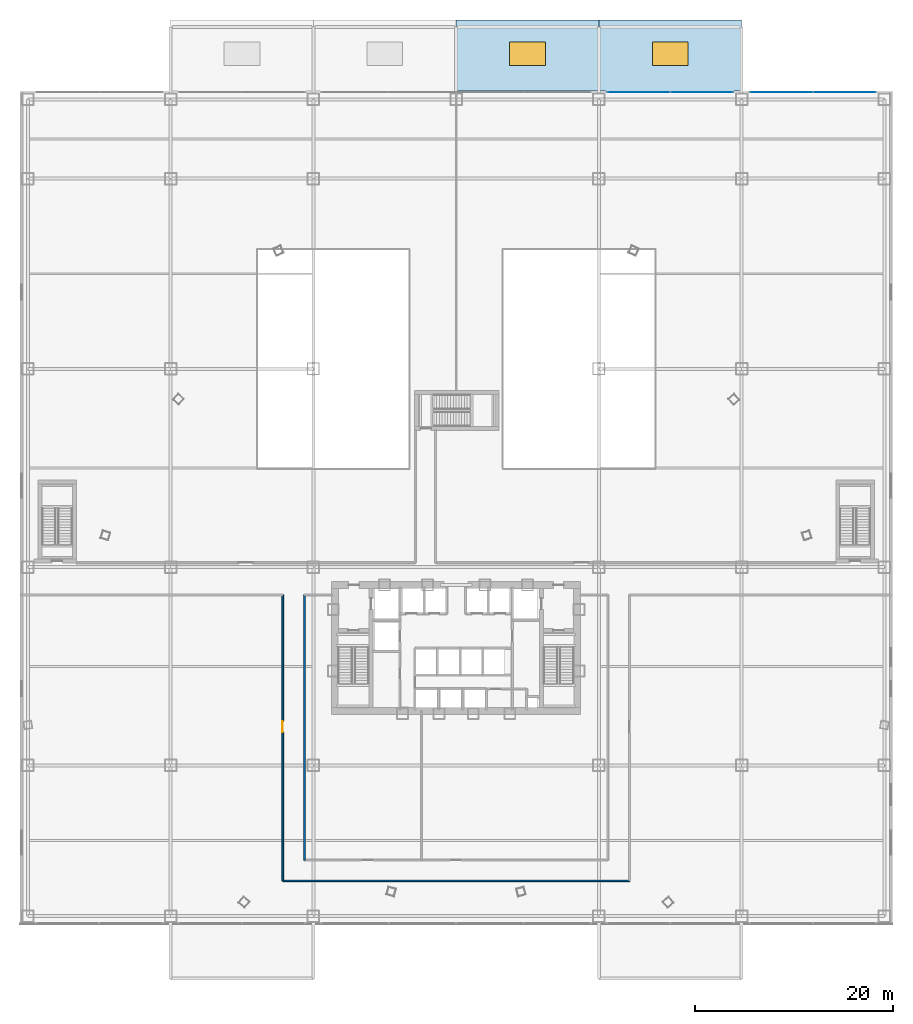
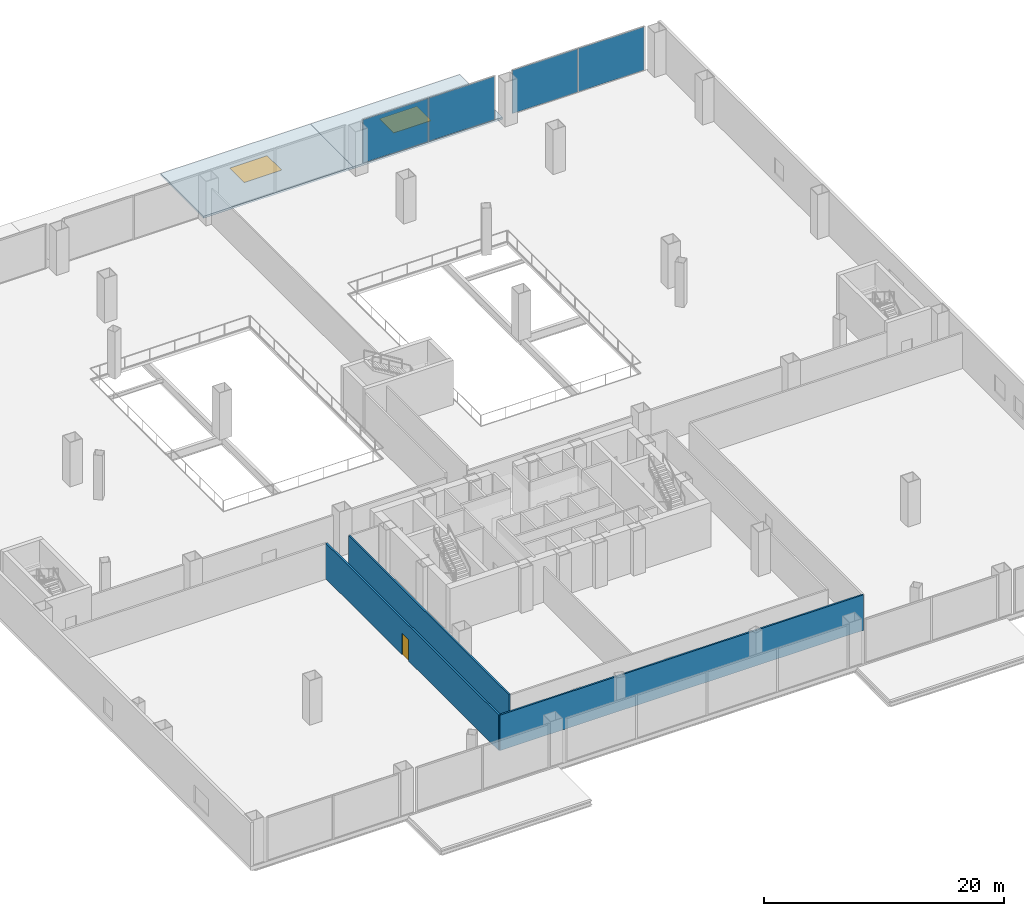
# One storey, part 32 of 42: 4 plates, 3 walls, 2 slabs, 2 windows, 1 door, 3 openings, 2 elements without a shape of their own.
"""IFC4 building model written with IfcOpenShell, lengths in metres."""

from ifc_helpers import new_model, si_unit, direction, frame, frame_2d, origin, origin_with_axes, origin_2d, place, context, subcontext, project, spatial, polyline, rectangle, outline, extrude, source, transform, mapped, material, layer, layer_set, type_object, element, fill, aggregate, save


model = new_model("IFC4")

# Units and contexts
model_context = context("Model", 3, precision=1e-05, world=origin(), true_north=direction((0.0, 1.0)))
body_context = subcontext(model_context, "Body", "Model", "MODEL_VIEW")
ifc_project = project(units=[si_unit("LENGTHUNIT", "METRE"), si_unit("AREAUNIT", "SQUARE_METRE"), si_unit("VOLUMEUNIT", "CUBIC_METRE"), si_unit("PLANEANGLEUNIT", "RADIAN"), si_unit("MASSUNIT", "GRAM", prefix="KILO"), si_unit("THERMODYNAMICTEMPERATUREUNIT", "KELVIN"), si_unit("POWERUNIT", "WATT")], contexts=[model_context])

# Site, building, storey
site_placement = place(None, origin())
site = spatial("IfcSite", under=ifc_project, at=site_placement, CompositionType="ELEMENT")
building_placement = place(site_placement, origin())
building = spatial("IfcBuilding", under=site, at=building_placement, Name="Yunzhuo Pagoda Commons", CompositionType="ELEMENT")
storey_placement = place(building_placement, frame((0.0, 0.0, 4.800048828125)))
storey = spatial("IfcBuildingStorey", under=building, at=storey_placement, Name="L02", CompositionType="ELEMENT", Elevation=4.800048828125)

# Slab, opening, window
ifc_material_1 = material(Name="Concrete C40", Category="concrete")
ifc_layer_1 = layer(ifc_material_1, 0.199951171875)
ifc_layer_set_1 = layer_set([ifc_layer_1], Name="Concrete C40")
slab_type = type_object("IfcSlabType", Name="SL-RF2 Entrance Canopy Roof Slab 200", PredefinedType="ROOF", material=ifc_layer_set_1)
slab_1_placement = place(storey_placement, frame((0.0, 0.0, -0.280029296875)))
slab_1 = element("IfcSlab", 1, at=slab_1_placement, inside=storey, type_object=slab_type, Name="North waterfront concourse canopy roof 3", PredefinedType="ROOF", context=body_context, shape_type="SweptSolid", body=[
    extrude(outline(polyline([(48.0, 90.02001953125), (62.39990234375, 90.02001953125), (62.39990234375, 97.199951171875), (48.0, 97.199951171875), (48.0, 90.02001953125)])), origin(), (0.0, 0.0, 1.0), 0.199951171875),
])
opening_1_placement = place(slab_1_placement, frame((55.199951171875, 93.800048828125, -0.010009765625)))
opening_1 = element("IfcOpeningElement", 2, at=opening_1_placement, cuts=slab_1, Name="Opening SK-01", PredefinedType="OPENING", context=body_context, shape_type="SweptSolid", body=[
    extrude(rectangle(XDim=3.60009765625, YDim=2.39990234375, at=origin_2d()), origin(), (0.0, 0.0, 1.0), 0.219970703125),
])
ifc_material_2 = material(Name="Tempered low-e double glazing", Category="glass")
window_type = type_object("IfcWindowType", Name="SK-01 Concourse Roof Skylight 3600x2400", PartitioningType="SINGLE_PANEL", PredefinedType="SKYLIGHT", material=ifc_material_2)
window_1_placement = place(opening_1_placement, frame((0.0, 0.0, 0.159912109375)))
window_1 = element("IfcWindow", 3, at=window_1_placement, inside=storey, type_object=window_type, Name="Waterfront canopy skylight 3", OverallHeight=2.39990234375, OverallWidth=3.60009765625, PartitioningType="SINGLE_PANEL", PredefinedType="SKYLIGHT", context=body_context, shape_type="SweptSolid", body=[
    extrude(rectangle(XDim=3.60009765625, YDim=2.39990234375, at=origin_2d()), origin(), (0.0, 0.0, 1.0), 0.050048828125),
])
fill(opening_1, window_1)

slab_2_placement = place(storey_placement, frame((0.0, 0.0, -0.280029296875)))
slab_2 = element("IfcSlab", 4, at=slab_2_placement, inside=storey, type_object=slab_type, Name="North waterfront concourse canopy roof 4", PredefinedType="ROOF", context=body_context, shape_type="SweptSolid", body=[
    extrude(outline(polyline([(62.39990234375, 90.02001953125), (76.800048828125, 90.02001953125), (76.800048828125, 97.199951171875), (62.39990234375, 97.199951171875), (62.39990234375, 90.02001953125)])), origin(), (0.0, 0.0, 1.0), 0.199951171875),
])
opening_2_placement = place(slab_2_placement, frame((69.60009765625, 93.800048828125, -0.010009765625)))
opening_2 = element("IfcOpeningElement", 5, at=opening_2_placement, cuts=slab_2, Name="Opening SK-01", PredefinedType="OPENING", context=body_context, shape_type="SweptSolid", body=[
    extrude(rectangle(XDim=3.60009765625, YDim=2.39990234375, at=origin_2d()), origin(), (0.0, 0.0, 1.0), 0.219970703125),
])
window_2_placement = place(opening_2_placement, frame((0.0, 0.0, 0.159912109375)))
window_2 = element("IfcWindow", 6, at=window_2_placement, inside=storey, type_object=window_type, Name="Waterfront canopy skylight 4", OverallHeight=2.39990234375, OverallWidth=3.60009765625, PartitioningType="SINGLE_PANEL", PredefinedType="SKYLIGHT", context=body_context, shape_type="SweptSolid", body=[
    extrude(rectangle(XDim=3.60009765625, YDim=2.39990234375, at=origin_2d()), origin(), (0.0, 0.0, 1.0), 0.050048828125),
])
fill(opening_2, window_2)

# Curtain wall, plates
ifc_material_3 = material(Name="Anodized aluminium 6063-T6", Category="aluminium")
ifc_layer_2 = layer(ifc_material_3, 0.179931640625)
ifc_layer_set_2 = layer_set([ifc_layer_2], Name="Anodized aluminium 6063-T6")
curtain_wall_type = type_object("IfcCurtainWallType", Name="CW-POD Waterfront Podium Curtain Wall", PredefinedType="NOTDEFINED", material=ifc_layer_set_2)
curtain_wall_1_placement = place(storey_placement, origin())
curtain_wall_1 = element("IfcCurtainWall", 7, at=curtain_wall_1_placement, inside=storey, type_object=curtain_wall_type, Name="L02 curtain wall CW-L02-N4", PredefinedType="NOTDEFINED")
ifc_layer_3 = layer(ifc_material_2, 0.031982421875)
ifc_layer_set_3 = layer_set([ifc_layer_3], Name="Tempered low-e double glazing")
plate_type = type_object("IfcPlateType", Name="CW-POD-P Low-E Double Glazing 32", PredefinedType="CURTAIN_PANEL", material=ifc_layer_set_3)
shared_shape_1 = source(origin(), body_context, "Body", "SweptSolid", [
    extrude(rectangle(XDim=6.302490234375, YDim=0.028076171875, at=origin_2d()), origin(), (0.0, 0.0, 1.0), 4.39990234375),
])
plate_1_placement = place(storey_placement, frame((66.416259765625, 89.919921875, 0.06005859375), z_axis=(0.0, 0.0, 1.0), x_axis=(1.0, 0.0, 0.0)))
plate_1 = element("IfcPlate", 8, at=plate_1_placement, type_object=plate_type, Name="CW panel 1.1", PredefinedType="CURTAIN_PANEL", context=body_context, shape_type="MappedRepresentation", body=[
    mapped(shared_shape_1, transform((0.0, 0.0, 0.0), scale=1.0)),
])
plate_2_placement = place(storey_placement, frame((72.78369140625, 89.919921875, 0.06005859375), z_axis=(0.0, 0.0, 1.0), x_axis=(1.0, 0.0, 0.0)))
plate_2 = element("IfcPlate", 9, at=plate_2_placement, type_object=plate_type, Name="CW panel 2.1", PredefinedType="CURTAIN_PANEL", context=body_context, shape_type="MappedRepresentation", body=[
    mapped(shared_shape_1, transform((0.0, 0.0, 0.0), scale=1.0)),
])
aggregate(curtain_wall_1, [plate_1, plate_2])

curtain_wall_2_placement = place(storey_placement, origin())
curtain_wall_2 = element("IfcCurtainWall", 10, at=curtain_wall_2_placement, inside=storey, type_object=curtain_wall_type, Name="L02 curtain wall CW-L02-N5", PredefinedType="NOTDEFINED")
plate_3_placement = place(storey_placement, frame((80.816162109375, 89.919921875, 0.06005859375), z_axis=(0.0, 0.0, 1.0), x_axis=(1.0, 0.0, 0.0)))
plate_3 = element("IfcPlate", 11, at=plate_3_placement, type_object=plate_type, Name="CW panel 1.1", PredefinedType="CURTAIN_PANEL", context=body_context, shape_type="MappedRepresentation", body=[
    mapped(shared_shape_1, transform((0.0, 0.0, 0.0), scale=1.0)),
])
plate_4_placement = place(storey_placement, frame((87.183837890625, 89.919921875, 0.06005859375), z_axis=(0.0, 0.0, 1.0), x_axis=(1.0, 0.0, 0.0)))
plate_4 = element("IfcPlate", 12, at=plate_4_placement, type_object=plate_type, Name="CW panel 2.1", PredefinedType="CURTAIN_PANEL", context=body_context, shape_type="MappedRepresentation", body=[
    mapped(shared_shape_1, transform((0.0, 0.0, 0.0), scale=1.0)),
])
aggregate(curtain_wall_2, [plate_3, plate_4])

# Walls
ifc_material_4 = material(Name="Gypsum plasterboard on acoustic stud")
ifc_layer_4 = layer(ifc_material_4, 0.159912109375)
ifc_layer_set_4 = layer_set([ifc_layer_4], Name="Gypsum plasterboard on acoustic stud")
wall_type_1 = type_object("IfcWallType", Name="W-COR1 Tower Rated Corridor Wall 160", PredefinedType="PARTITIONING", material=ifc_layer_set_4)
wall_1_placement = place(storey_placement, frame((30.5, 10.35009765625, 0.0), z_axis=(0.0, 0.0, 1.0), x_axis=(1.0, 0.0, 0.0)))
element("IfcWall", 13, at=wall_1_placement, inside=storey, type_object=wall_type_1, Name="L02 interior wall IW-L02-PSOUT", PredefinedType="PARTITIONING", context=body_context, shape_type="SweptSolid", body=[
    extrude(rectangle(XDim=35.0, YDim=0.159912109375, at=frame_2d((17.5, 0.0))), origin(), (0.0, 0.0, 1.0), 3.619873046875),
])
wall_2_placement = place(storey_placement, frame((32.699951171875, 12.449951171875, 0.0), z_axis=(0.0, 0.0, 1.0), x_axis=(0.0, 1.0, 0.0)))
element("IfcWall", 14, at=wall_2_placement, inside=storey, type_object=wall_type_1, Name="L02 interior wall IW-L02-PSMW", PredefinedType="PARTITIONING", context=body_context, shape_type="SweptSolid", body=[
    extrude(rectangle(XDim=26.75, YDim=0.159912109375, at=frame_2d((13.375, 0.0))), origin(), (0.0, 0.0, 1.0), 3.619873046875),
])

# Wall, opening, door
ifc_layer_5 = layer(ifc_material_4, 0.179931640625)
ifc_layer_set_5 = layer_set([ifc_layer_5], Name="Gypsum plasterboard on acoustic stud")
wall_type_2 = type_object("IfcWallType", Name="W-PRT2 Acoustic Unit Demising Wall 180", PredefinedType="PARTITIONING", material=ifc_layer_set_5)
wall_3_placement = place(storey_placement, frame((30.5, 10.35009765625, 0.0), z_axis=(0.0, 0.0, 1.0), x_axis=(0.0, 1.0, 0.0)))
wall_3 = element("IfcWall", 15, at=wall_3_placement, inside=storey, type_object=wall_type_2, Name="L02 interior wall IW-L02-PWEST", PredefinedType="PARTITIONING", context=body_context, shape_type="SweptSolid", body=[
    extrude(rectangle(XDim=28.849853515625, YDim=0.179931640625, at=frame_2d((14.4248046875, 0.0))), origin(), (0.0, 0.0, 1.0), 3.619873046875),
])
opening_3_placement = place(wall_3_placement, frame((15.0, 0.0, 0.0)))
opening_3 = element("IfcOpeningElement", 16, at=opening_3_placement, cuts=wall_3, Name="Opening D-09", PredefinedType="OPENING", context=body_context, shape_type="SweptSolid", body=[
    extrude(rectangle(XDim=1.10009765625, YDim=2.14990234375, at=frame_2d((0.550048828125, 1.074951171875))), frame((0.0, 0.10009765625, 0.0), z_axis=(0.0, -1.0, 0.0), x_axis=(1.0, 0.0, 0.0)), (0.0, 0.0, 1.0), 0.199951171875),
])
ifc_material_5 = material(Name="Galvanized fire-resisting metal leaf")
door_type = type_object("IfcDoorType", Name="D-09 Podium Commons Hall Fire Door 1100x2150", OperationType="NOTDEFINED", PredefinedType="DOOR", material=ifc_material_5)
shared_shape_2 = source(origin(), body_context, "Body", "SweptSolid", [
    extrude(rectangle(XDim=1.10009765625, YDim=2.14990234375, at=frame_2d((0.550048828125, 1.074951171875))), frame((0.0, 0.02490234375, 0.0), z_axis=(0.0, -1.0, 0.0), x_axis=(1.0, 0.0, 0.0)), (0.0, 0.0, 1.0), 0.050048828125),
])
door_placement = place(opening_3_placement, origin_with_axes())
door = element("IfcDoor", 17, at=door_placement, inside=storey, type_object=door_type, Name="L02 Commercial Kitchen door", OperationType="SINGLE_SWING_LEFT", OverallHeight=2.14990234375, OverallWidth=1.10009765625, PredefinedType="DOOR", context=body_context, shape_type="MappedRepresentation", body=[
    mapped(shared_shape_2, transform((0.0, 0.0, 0.0), scale=1.0)),
])
fill(opening_3, door)

save(model, "model.ifc")
